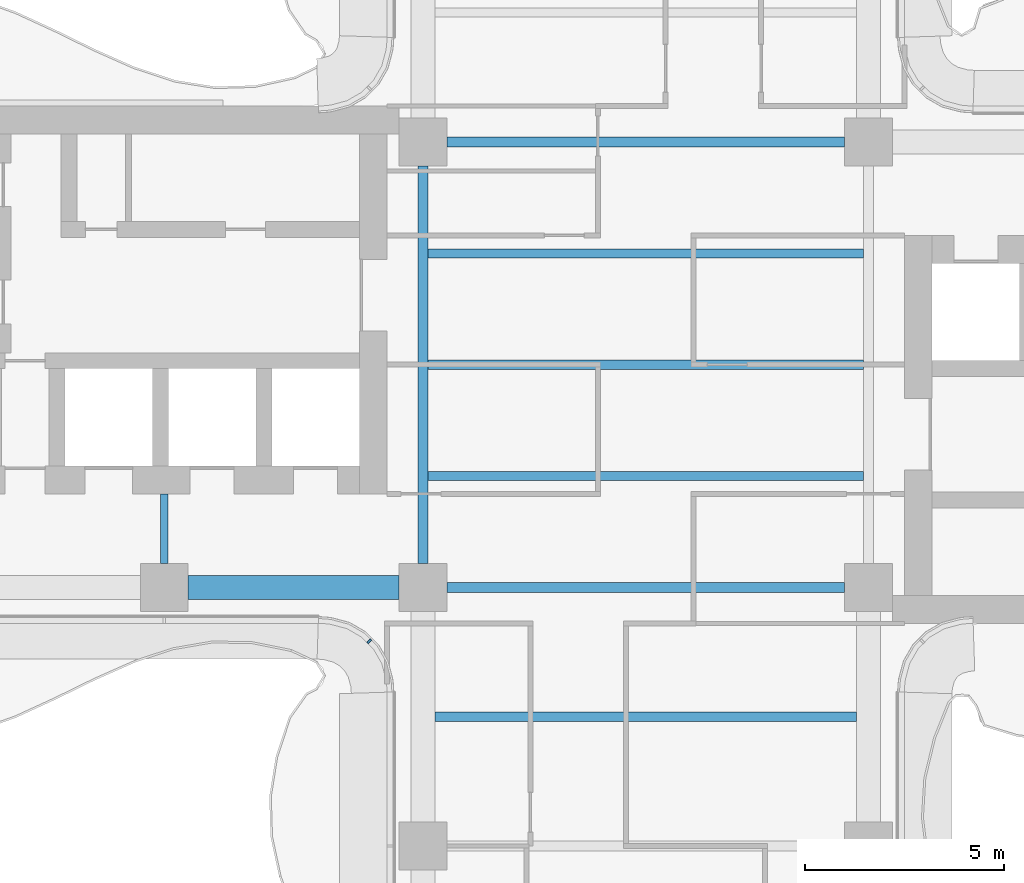
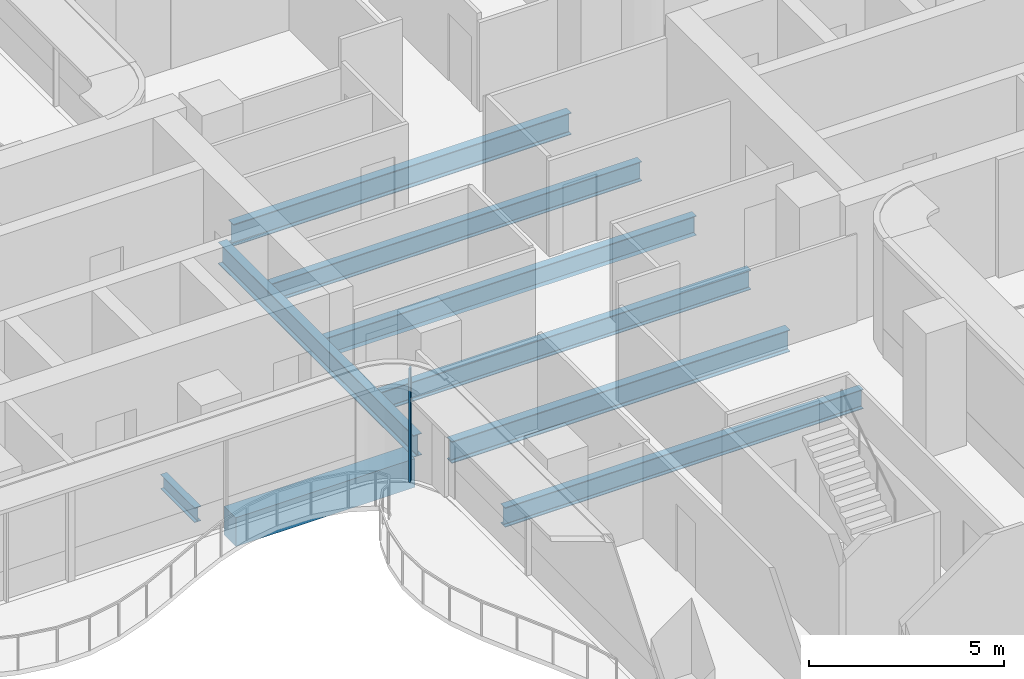
# One storey, part 4 of 18: 9 beams, 1 member, 1 element without a shape of its own.
"""IFC4 building model written with IfcOpenShell, lengths in metres."""

import ifcopenshell
import ifcopenshell.guid

model = None  # the IFC model being written
_history = None  # IfcOwnerHistory: only IFC2X3 demands one
_inside = {}  # id of a spatial element -> (the spatial element, [elements in it])
_under = {}  # id of a project, library or spatial element -> (it, [spatial elements below it])
_declared = {}  # id of a project -> (the project, [libraries it declares])
_typed = {}  # id of a type object -> (the type object, [elements of that type])
_made_of = {}  # id of a material, layer set ... -> (it, [elements and type objects made of it])


def new_model(schema):
    """Start an empty IFC model of exactly this schema.

    Asked for "IFC4X3", IfcOpenShell would pick the latest addendum, in which some entities
    have other attributes; the version numbers below select the first issue.
    IFC2X3 requires an IfcOwnerHistory on every rooted entity: one is made here for all.
    """
    global model, _history
    if schema == "IFC4X3":
        model = ifcopenshell.file(schema_version=(4, 3, 0, 0))
    else:
        model = ifcopenshell.file(schema=schema)
    _inside.clear()
    _under.clear()
    _declared.clear()
    _typed.clear()
    _made_of.clear()
    _history = None
    if model.schema == "IFC2X3":
        org = make("IfcOrganization", Name="unknown")
        user = make(
            "IfcPersonAndOrganization",
            ThePerson=make("IfcPerson", FamilyName="unknown"),
            TheOrganization=org,
        )
        app = make(
            "IfcApplication",
            ApplicationDeveloper=org,
            Version="unknown",
            ApplicationFullName="unknown",
            ApplicationIdentifier="unknown",
        )
        _history = make(
            "IfcOwnerHistory",
            OwningUser=user,
            OwningApplication=app,
            ChangeAction="ADDED",
            CreationDate=0,
        )
    return model


def make(cls, **values):
    """One entity of the class cls with the attributes given. An attribute that is None is left unset."""
    return model.create_entity(
        cls, **{name: value for name, value in values.items() if value is not None}
    )


def rooted(cls, **values):
    """An entity with a GlobalId (a new one), such as an element, a storey or a relation."""
    return make(cls, GlobalId=ifcopenshell.guid.new(), OwnerHistory=_history, **values)


def si_unit(unit_type, name, prefix=None):
    """IfcSIUnit, for example si_unit("LENGTHUNIT", "METRE", prefix="MILLI")."""
    return make("IfcSIUnit", UnitType=unit_type, Prefix=prefix, Name=name)


def assignment(units):
    """IfcUnitAssignment: the units of a project."""
    return None if units is None else make("IfcUnitAssignment", Units=units)


def point(xyz):
    """IfcCartesianPoint."""
    return None if xyz is None else make("IfcCartesianPoint", Coordinates=xyz)


def direction(xyz):
    """IfcDirection."""
    return None if xyz is None else make("IfcDirection", DirectionRatios=xyz)


def frame(location, z_axis=None, x_axis=None):
    """IfcAxis2Placement3D, a coordinate frame: its origin and axes. An axis left out is left unset."""
    return make(
        "IfcAxis2Placement3D",
        Location=point(location),
        Axis=direction(z_axis),
        RefDirection=direction(x_axis),
    )


def frame_2d(location, x_axis=None):
    """IfcAxis2Placement2D, a coordinate frame in the plane: its origin and x axis."""
    return make(
        "IfcAxis2Placement2D", Location=point(location), RefDirection=direction(x_axis)
    )


def origin():
    """The frame at (0, 0, 0) with its axes left unset."""
    return frame((0.0, 0.0, 0.0))


def origin_2d():
    """The frame at (0, 0) in the plane with its x axis left unset."""
    return frame_2d((0.0, 0.0))


def place(relative_to, where):
    """IfcLocalPlacement: puts the frame where relative to a parent placement (None: the world)."""
    return make(
        "IfcLocalPlacement", PlacementRelTo=relative_to, RelativePlacement=where
    )


def context(
    kind, dimensions, precision=None, world=None, true_north=None, identifier=None
):
    """IfcGeometricRepresentationContext, for example the 3D "Model" context."""
    return make(
        "IfcGeometricRepresentationContext",
        ContextIdentifier=identifier,
        ContextType=kind,
        CoordinateSpaceDimension=dimensions,
        Precision=precision,
        WorldCoordinateSystem=world,
        TrueNorth=true_north,
    )


def subcontext(parent, identifier, kind, view, scale=None):
    """IfcGeometricRepresentationSubContext, for example "Body" below "Model"."""
    return make(
        "IfcGeometricRepresentationSubContext",
        ContextIdentifier=identifier,
        ContextType=kind,
        ParentContext=parent,
        TargetScale=scale,
        TargetView=view,
    )


def project(units=None, contexts=None):
    """IfcProject with its units and contexts."""
    return rooted(
        "IfcProject",
        Name="project",
        RepresentationContexts=contexts,
        UnitsInContext=assignment(units),
    )


def spatial(cls, under=None, at=None, **own):
    """A site, building, storey or space (cls), placed at a placement, below another one or the project."""
    s = rooted(cls, ObjectPlacement=at, **own)
    if under is not None:
        _under.setdefault(under.id(), (under, []))[1].append(s)
    return s


def profile(cls, at=None, kind="AREA", **sizes):
    """A parametric profile (cls). Its sizes go by their IFC names, for example OverallWidth=200.0."""
    return make(cls, ProfileType=kind, Position=at, **sizes)


def rectangle(**sizes):
    """IfcRectangleProfileDef."""
    return profile("IfcRectangleProfileDef", **sizes)


def i_section(**sizes):
    """IfcIShapeProfileDef."""
    return profile("IfcIShapeProfileDef", **sizes)


def extrude(swept, where, along, depth):
    """IfcExtrudedAreaSolid: the profile swept, set in the frame where, extruded along a direction by depth."""
    return make(
        "IfcExtrudedAreaSolid",
        SweptArea=swept,
        Position=where,
        ExtrudedDirection=direction(along),
        Depth=depth,
    )


def shape(context_of_items, identifier, shape_type, items):
    """IfcShapeRepresentation: the items that make up one representation, for example the "Body"."""
    return make(
        "IfcShapeRepresentation",
        ContextOfItems=context_of_items,
        RepresentationIdentifier=identifier,
        RepresentationType=shape_type,
        Items=items,
    )


def source(mapping_origin, context_of_items, identifier, shape_type, items):
    """IfcRepresentationMap: a shape defined once, which mapped items show again and again."""
    return make(
        "IfcRepresentationMap",
        MappingOrigin=mapping_origin,
        MappedRepresentation=shape(context_of_items, identifier, shape_type, items),
    )


def transform(
    local_origin,
    x_axis=None,
    y_axis=None,
    z_axis=None,
    scale=None,
    scale2=None,
    scale3=None,
    uniform=True,
):
    """IfcCartesianTransformationOperator3D, or its non-uniform kind. x_axis, y_axis, z_axis: its Axis1, 2, 3."""
    if uniform:
        return make(
            "IfcCartesianTransformationOperator3D",
            Axis1=direction(x_axis),
            Axis2=direction(y_axis),
            LocalOrigin=point(local_origin),
            Scale=scale,
            Axis3=direction(z_axis),
        )
    return make(
        "IfcCartesianTransformationOperator3DnonUniform",
        Axis1=direction(x_axis),
        Axis2=direction(y_axis),
        LocalOrigin=point(local_origin),
        Scale=scale,
        Axis3=direction(z_axis),
        Scale2=scale2,
        Scale3=scale3,
    )


def mapped(mapping_source, mapping_target):
    """IfcMappedItem: shows the shape of a source again, moved by a transform."""
    return make(
        "IfcMappedItem", MappingSource=mapping_source, MappingTarget=mapping_target
    )


def material(Name=None, Category=None):
    """IfcMaterial."""
    return make("IfcMaterial", Name=Name, Category=Category)


def layer(
    of_material, thickness, ventilated=None, Name=None, Category=None, Priority=None
):
    """IfcMaterialLayer: one layer of a wall or slab, of a material (None: an air gap)."""
    return make(
        "IfcMaterialLayer",
        Material=of_material,
        LayerThickness=thickness,
        IsVentilated=ventilated,
        Name=Name,
        Category=Category,
        Priority=Priority,
    )


def layer_set(layers, Name=None):
    """IfcMaterialLayerSet."""
    return make("IfcMaterialLayerSet", MaterialLayers=layers, LayerSetName=Name)


def material_profile(
    of_material, cross_section, Name=None, Category=None, Priority=None
):
    """IfcMaterialProfile: a cross section and its material."""
    return make(
        "IfcMaterialProfile",
        Name=Name,
        Material=of_material,
        Profile=cross_section,
        Priority=Priority,
        Category=Category,
    )


def profile_set(profiles, Name=None, composite=None):
    """IfcMaterialProfileSet."""
    return make(
        "IfcMaterialProfileSet",
        Name=Name,
        MaterialProfiles=profiles,
        CompositeProfile=composite,
    )


def made_of(thing, what):
    """Note that an element or type object is made of a material, layer set ...; save() writes the relation."""
    if what is not None:
        _made_of.setdefault(what.id(), (what, []))[1].append(thing)
    return thing


def type_object(cls, material=None, **own):
    """A type object (cls), such as IfcWallType, which elements share."""
    return made_of(rooted(cls, **own), material)


def element(
    cls,
    number,
    at=None,
    inside=None,
    cuts=None,
    type_object=None,
    material=None,
    context=None,
    identifier="Body",
    shape_type=None,
    held_by="IfcProductDefinitionShape",
    body=None,
    shapes=None,
    **own,
):
    """One element of the class cls, such as IfcWall. Its Tag is "e" and its number.

    at: its placement. inside: the storey or other place that contains it. cuts: it is an
    opening in that element (IfcRelVoidsElement). A single representation is given by context,
    identifier, shape_type and body (its items); several are given by shapes. held_by: the class
    of the entity that holds the representations. save() writes the other relations.
    """
    e = rooted(cls, Tag="e%d" % number, ObjectPlacement=at, **own)
    if body is not None:
        shapes = [shape(context, identifier, shape_type, body)]
    if shapes is not None:
        e.Representation = make(held_by, Representations=shapes)
    if inside is not None:
        _inside.setdefault(inside.id(), (inside, []))[1].append(e)
    if cuts is not None:
        rooted(
            "IfcRelVoidsElement", RelatingBuildingElement=cuts, RelatedOpeningElement=e
        )
    if type_object is not None:
        _typed.setdefault(type_object.id(), (type_object, []))[1].append(e)
    return made_of(e, material)


def aggregate(whole, parts):
    """IfcRelAggregates: a whole, such as a stair, and the parts it consists of."""
    return rooted("IfcRelAggregates", RelatingObject=whole, RelatedObjects=parts)


def save(model, path):
    """Write the relations noted so far, then the file.

    IfcRelAggregates (storeys below a building ...), IfcRelContainedInSpatialStructure (elements
    in a storey), IfcRelDefinesByType, IfcRelAssociatesMaterial and IfcRelDeclares: one each for
    every whole, place, type object, material and project.
    """
    for whole, parts in _under.values():
        aggregate(whole, parts)
    for where, things in _inside.values():
        rooted(
            "IfcRelContainedInSpatialStructure",
            RelatedElements=things,
            RelatingStructure=where,
        )
    for kind, things in _typed.values():
        rooted("IfcRelDefinesByType", RelatedObjects=things, RelatingType=kind)
    for what, things in _made_of.values():
        rooted("IfcRelAssociatesMaterial", RelatedObjects=things, RelatingMaterial=what)
    for by, libraries in _declared.values():
        rooted("IfcRelDeclares", RelatingContext=by, RelatedDefinitions=libraries)
    model.write(path)


model = new_model("IFC4")

# Units and contexts
model_context = context("Model", 3, precision=1e-05, world=origin(), true_north=direction((0.0, 1.0)))
body_context = subcontext(model_context, "Body", "Model", "MODEL_VIEW")
ifc_project = project(units=[si_unit("LENGTHUNIT", "METRE"), si_unit("AREAUNIT", "SQUARE_METRE"), si_unit("VOLUMEUNIT", "CUBIC_METRE"), si_unit("PLANEANGLEUNIT", "RADIAN"), si_unit("MASSUNIT", "GRAM", prefix="KILO")], contexts=[model_context])

# Site, building, storey
site_placement = place(None, origin())
site = spatial("IfcSite", under=ifc_project, at=site_placement, CompositionType="ELEMENT")
building_placement = place(site_placement, origin())
building = spatial("IfcBuilding", under=site, at=building_placement, Name="Trellis Farm Tower", CompositionType="ELEMENT")
storey_placement = place(building_placement, frame((0.0, 0.0, 169.800048828125)))
storey = spatial("IfcBuildingStorey", under=building, at=storey_placement, Name="L36", CompositionType="ELEMENT", Elevation=169.800048828125)

# Beams
ifc_material_1 = material(Name="Concrete C60/75", Category="concrete")
ifc_material_profile_1 = material_profile(ifc_material_1, rectangle(XDim=0.60009765625, YDim=0.89990234375, at=origin_2d()), Name="RC spandrel beam 600x900 C60/75")
ifc_profile_set_1 = profile_set([ifc_material_profile_1], Name="Concrete C60/75")
beam_type_1 = type_object("IfcBeamType", Name="RC spandrel beam 600x900 C60/75", PredefinedType="SPANDREL", material=ifc_profile_set_1)
shared_shape_1 = source(origin(), body_context, "Body", "SweptSolid", [
    extrude(rectangle(XDim=0.60009765625, YDim=0.89990234375, at=origin_2d()), origin(), (0.0, 0.0, 1.0), 5.300048828125),
])
beam_1_placement = place(storey_placement, frame((-11.5, -5.60009765625, -0.650146484375), z_axis=(1.0, 0.0, 0.0), x_axis=(0.0, 1.0, 0.0)))
element("IfcBeam", 1, at=beam_1_placement, inside=storey, type_object=beam_type_1, Name="Girder", PredefinedType="SPANDREL", context=body_context, shape_type="MappedRepresentation", body=[
    mapped(shared_shape_1, transform((0.0, 0.0, 0.0))),
])
ifc_material_2 = material(Name="Steel S355", Category="steel")
ifc_material_profile_2 = material_profile(ifc_material_2, i_section(OverallWidth=0.253662109375, OverallDepth=0.68359375, WebThickness=0.012451171875, FlangeThickness=0.021728515625, FilletRadius=0.01513671875, at=origin_2d()), Name="UB 686x254x140")
ifc_profile_set_2 = profile_set([ifc_material_profile_2], Name="Steel S355")
beam_type_2 = type_object("IfcBeamType", Name="UB 686x254x140", PredefinedType="BEAM", material=ifc_profile_set_2)
shared_shape_2 = source(origin(), body_context, "Body", "SweptSolid", [
    extrude(i_section(OverallWidth=0.253662109375, OverallDepth=0.68359375, WebThickness=0.012451171875, FlangeThickness=0.021728515625, FilletRadius=0.01513671875, at=origin_2d()), origin(), (0.0, 0.0, 1.0), 10.0),
])
for number, where, z_axis, x_axis, name in (
    (2, (-5.0, -5.60009765625, -0.541748046875), (1.0, 0.0, 0.0), (0.0, 1.0, 0.0), "Girder"),
    (3, (-5.0, 5.60009765625, -0.541748046875), (1.0, 0.0, 0.0), (0.0, 1.0, 0.0), "Girder"),
    (4, (-5.60009765625, -5.0, -0.541748046875), (0.0, 1.0, 0.0), (-1.0, 0.0, 0.0), "Girder"),
):
    element("IfcBeam", number, at=place(storey_placement, frame(where, z_axis=z_axis, x_axis=x_axis)), inside=storey, type_object=beam_type_2, Name=name, PredefinedType="BEAM", context=body_context, shape_type="MappedRepresentation", body=[
        mapped(shared_shape_2, transform((0.0, 0.0, 0.0))),
    ])
ifc_material_profile_3 = material_profile(ifc_material_2, i_section(OverallWidth=0.1904296875, OverallDepth=0.45703125, WebThickness=0.009033203125, FlangeThickness=0.014404296875, FilletRadius=0.01025390625, at=origin_2d()), Name="UB 457x191x74")
ifc_profile_set_3 = profile_set([ifc_material_profile_3], Name="Steel S355")
beam_type_3 = type_object("IfcBeamType", Name="UB 457x191x74", PredefinedType="BEAM", material=ifc_profile_set_3)
shared_shape_3 = source(origin(), body_context, "Body", "SweptSolid", [
    extrude(i_section(OverallWidth=0.1904296875, OverallDepth=0.45703125, WebThickness=0.009033203125, FlangeThickness=0.014404296875, FilletRadius=0.01025390625, at=origin_2d()), origin(), (0.0, 0.0, 1.0), 1.75),
])
beam_2_placement = place(storey_placement, frame((-12.10009765625, -5.0, -0.428466796875), z_axis=(0.0, 1.0, 0.0), x_axis=(-1.0, 0.0, 0.0)))
element("IfcBeam", 5, at=beam_2_placement, inside=storey, type_object=beam_type_3, Name="Girder", PredefinedType="BEAM", context=body_context, shape_type="MappedRepresentation", body=[
    mapped(shared_shape_3, transform((0.0, 0.0, 0.0))),
])
ifc_material_profile_4 = material_profile(ifc_material_2, i_section(OverallWidth=0.22900390625, OverallDepth=0.6123046875, WebThickness=0.011962890625, FlangeThickness=0.01953125, FilletRadius=0.0126953125, at=origin_2d()), Name="UB 610x229x125")
ifc_profile_set_4 = profile_set([ifc_material_profile_4], Name="Steel S355")
beam_type_4 = type_object("IfcBeamType", Name="UB 610x229x125 joist", PredefinedType="JOIST", material=ifc_profile_set_4)
shared_shape_4 = source(origin(), body_context, "Body", "SweptSolid", [
    extrude(i_section(OverallWidth=0.22900390625, OverallDepth=0.6123046875, WebThickness=0.011962890625, FlangeThickness=0.01953125, FilletRadius=0.0126953125, at=origin_2d()), origin(), (0.0, 0.0, 1.0), 10.9462890625),
])
for number, where, z_axis, x_axis, name in (
    (6, (-5.47314453125, -2.800048828125, -0.506103515625), (1.0, 0.0, 0.0), (0.0, 1.0, 0.0), "Floor beam"),
    (7, (-5.47314453125, 0.0, -0.506103515625), (1.0, 0.0, 0.0), (0.0, 1.0, 0.0), "Floor beam"),
    (8, (-5.47314453125, 2.800048828125, -0.506103515625), (1.0, 0.0, 0.0), (0.0, 1.0, 0.0), "Floor beam"),
):
    element("IfcBeam", number, at=place(storey_placement, frame(where, z_axis=z_axis, x_axis=x_axis)), inside=storey, type_object=beam_type_4, Name=name, PredefinedType="JOIST", context=body_context, shape_type="MappedRepresentation", body=[
        mapped(shared_shape_4, transform((0.0, 0.0, 0.0))),
    ])
shared_shape_5 = source(origin(), body_context, "Body", "SweptSolid", [
    extrude(i_section(OverallWidth=0.22900390625, OverallDepth=0.6123046875, WebThickness=0.011962890625, FlangeThickness=0.01953125, FilletRadius=0.0126953125, at=origin_2d()), origin(), (0.0, 0.0, 1.0), 10.60009765625),
])
beam_3_placement = place(storey_placement, frame((-5.300048828125, -8.85009765625, -0.506103515625), z_axis=(1.0, 0.0, 0.0), x_axis=(0.0, 1.0, 0.0)))
element("IfcBeam", 9, at=beam_3_placement, inside=storey, type_object=beam_type_4, Name="Floor beam", PredefinedType="JOIST", context=body_context, shape_type="MappedRepresentation", body=[
    mapped(shared_shape_5, transform((0.0, 0.0, 0.0))),
])

# Curtain wall, member
ifc_material_3 = material(Name="Aluminium and glass curtain wall", Category="aluminium")
ifc_layer = layer(ifc_material_3, 0.166015625)
ifc_layer_set = layer_set([ifc_layer], Name="WINTER GARDEN CURTAIN WALL CW3")
curtain_wall_type = type_object("IfcCurtainWallType", Name="WINTER GARDEN CURTAIN WALL CW3", PredefinedType="NOTDEFINED", material=ifc_layer_set)
curtain_wall_placement = place(storey_placement, origin())
curtain_wall = element("IfcCurtainWall", 10, at=curtain_wall_placement, inside=storey, type_object=curtain_wall_type, Name="CW3 001", PredefinedType="NOTDEFINED")
ifc_material_4 = material(Name="Aluminium extrusion 6063-T6", Category="aluminium")
ifc_material_profile_5 = material_profile(ifc_material_4, rectangle(XDim=0.050048828125, YDim=0.1201171875, at=origin_2d()), Name="MULLION 50x120")
ifc_profile_set_5 = profile_set([ifc_material_profile_5], Name="Aluminium extrusion 6063-T6")
member_type = type_object("IfcMemberType", Name="CW3 MULLION 50x120", PredefinedType="MULLION", material=ifc_profile_set_5)
shared_shape_6 = source(origin(), body_context, "Body", "SweptSolid", [
    extrude(rectangle(XDim=0.050048828125, YDim=0.1201171875, at=origin_2d()), origin(), (0.0, 0.0, 1.0), 3.550048828125),
])
member_placement = place(storey_placement, frame((-6.953125, -6.953125, 0.0), z_axis=(0.0, 0.0, 1.0), x_axis=(0.707106781187, -0.707106781187, 0.0)))
member = element("IfcMember", 11, at=member_placement, type_object=member_type, Name="MU3 001-01", PredefinedType="MULLION", context=body_context, shape_type="MappedRepresentation", body=[
    mapped(shared_shape_6, transform((0.0, 0.0, 0.0))),
])
aggregate(curtain_wall, [member])

save(model, "model.ifc")
